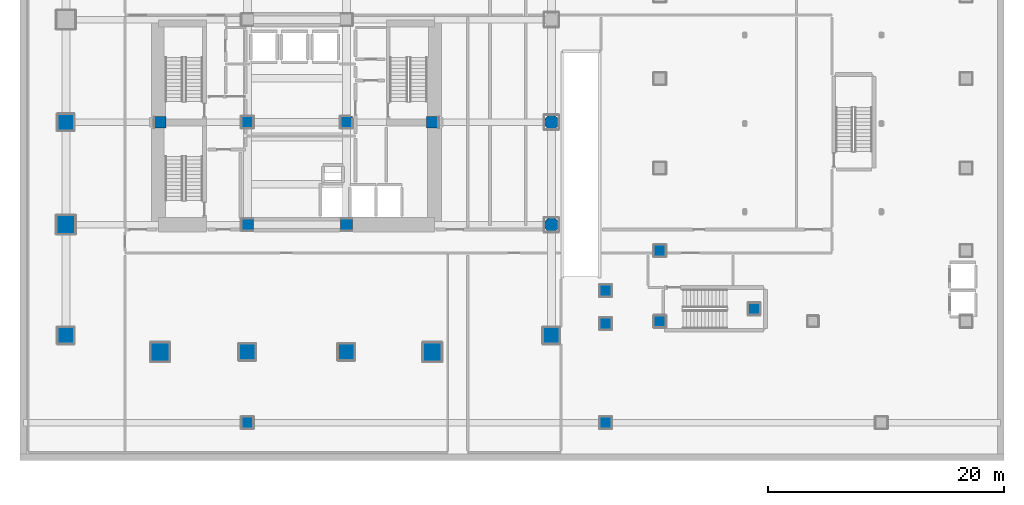
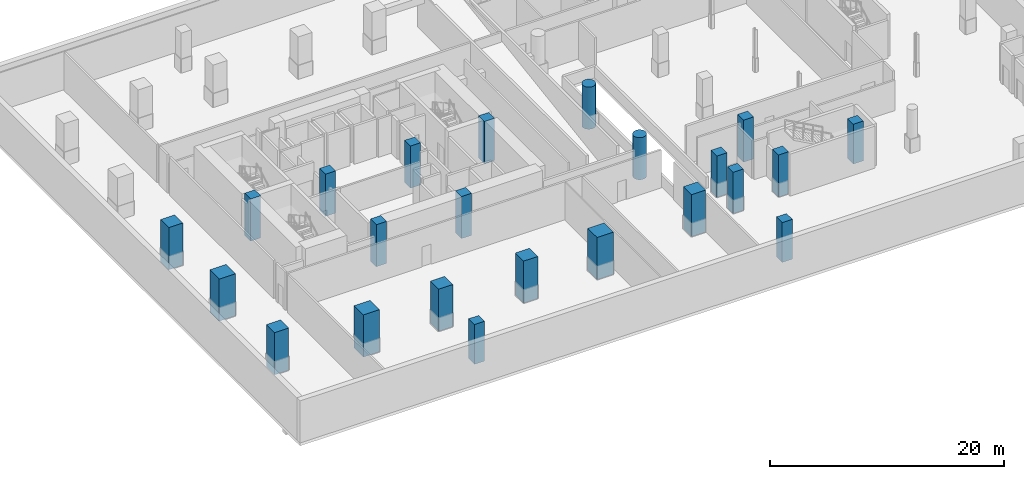
# One storey, part 1 of 22: 23 columns.
"""IFC4 building model written with IfcOpenShell, lengths in metres."""

from ifc_helpers import new_model, si_unit, direction, frame, origin, origin_2d, place, context, subcontext, project, spatial, rectangle, circle, extrude, material, material_profile, profile_set, type_object, element, save


model = new_model("IFC4")

# Units and contexts
model_context = context("Model", 3, precision=1e-05, world=origin(), true_north=direction((0.0, 1.0)))
body_context = subcontext(model_context, "Body", "Model", "MODEL_VIEW")
ifc_project = project(units=[si_unit("LENGTHUNIT", "METRE"), si_unit("AREAUNIT", "SQUARE_METRE"), si_unit("VOLUMEUNIT", "CUBIC_METRE"), si_unit("PLANEANGLEUNIT", "RADIAN"), si_unit("MASSUNIT", "GRAM", prefix="KILO")], contexts=[model_context])

# Site, building, storey
site_placement = place(None, origin())
site = spatial("IfcSite", under=ifc_project, at=site_placement, CompositionType="ELEMENT")
building_placement = place(site_placement, origin())
building = spatial("IfcBuilding", under=site, at=building_placement, Name="Solanera Arch Residences", CompositionType="ELEMENT")
storey_placement = place(building_placement, frame((0.0, 0.0, -4.39990234375)))
storey = spatial("IfcBuildingStorey", under=building, at=storey_placement, Name="B01", CompositionType="ELEMENT", Elevation=-4.39990234375)

# Columns
ifc_material_1 = material(Name="Concrete C55/67 (f'c = 60 MPa)", Category="concrete")
ifc_material_profile_1 = material_profile(ifc_material_1, rectangle(XDim=1.0, YDim=1.0, at=origin_2d()))
ifc_profile_set_1 = profile_set([ifc_material_profile_1], Name="Concrete C55/67 (f'c = 60 MPa)")
column_type_1 = type_object("IfcColumnType", Name="Structural Column RC-COL-1000X1000", PredefinedType="COLUMN", material=ifc_profile_set_1)
for number, where, z_axis, x_axis, name in (
    (1, (20.800048828125, 22.0, 0.0), (0.0, 0.0, 1.0), (1.0, 0.0, 0.0), "COL-B01-CB-SW"),
    (2, (29.199951171875, 22.0, 0.0), (0.0, 0.0, 1.0), (1.0, 0.0, 0.0), "COL-B01-CB-SE"),
    (3, (13.39990234375, 30.699951171875, 0.0), (0.0, 0.0, 1.0), (1.0, 0.0, 0.0), "COL-B01-CB-WW"),
    (4, (36.5, 30.699951171875, 0.0), (0.0, 0.0, 1.0), (1.0, 0.0, 0.0), "COL-B01-CB-EE"),
    (5, (20.800048828125, 30.699951171875, 0.0), (0.0, 0.0, 1.0), (1.0, 0.0, 0.0), "COL-B01-CORE-W"),
    (6, (29.199951171875, 30.699951171875, 0.0), (0.0, 0.0, 1.0), (1.0, 0.0, 0.0), "COL-B01-CORE-E"),
):
    element("IfcColumn", number, at=place(storey_placement, frame(where, z_axis=z_axis, x_axis=x_axis)), inside=storey, type_object=column_type_1, Name=name, PredefinedType="COLUMN", context=body_context, shape_type="SweptSolid", body=[
        extrude(rectangle(XDim=1.0, YDim=1.0, at=origin_2d()), origin(), (0.0, 0.0, 1.0), 4.39990234375),
    ])
for number, where, z_axis, x_axis, name in (
    (7, (51.199951171875, 13.60009765625, 0.0), (0.0, 0.0, 1.0), (1.0, 0.0, 0.0), "COL-B01-PAD-07"),
    (8, (51.199951171875, 16.39990234375, 0.0), (0.0, 0.0, 1.0), (1.0, 0.0, 0.0), "COL-B01-PAD-08"),
):
    element("IfcColumn", number, at=place(storey_placement, frame(where, z_axis=z_axis, x_axis=x_axis)), inside=storey, type_object=column_type_1, Name=name, PredefinedType="COLUMN", context=body_context, shape_type="SweptSolid", body=[
        extrude(rectangle(XDim=1.0, YDim=1.0, at=origin_2d()), origin(), (0.0, 0.0, 1.0), 4.31982421875),
    ])
for number, where, z_axis, x_axis, name in (
    (9, (20.800048828125, 5.199951171875, 0.0), (0.0, 0.0, 1.0), (1.0, 0.0, 0.0), "COL-B01-PAD-09"),
    (10, (51.199951171875, 5.199951171875, 0.0), (0.0, 0.0, 1.0), (1.0, 0.0, 0.0), "COL-B01-PAD-10"),
    (11, (63.800048828125, 14.860107421875, 0.0), (0.0, 0.0, 1.0), (1.0, 0.0, 0.0), "COL-B01-PAD-15"),
):
    element("IfcColumn", number, at=place(storey_placement, frame(where, z_axis=z_axis, x_axis=x_axis)), inside=storey, type_object=column_type_1, Name=name, PredefinedType="COLUMN", context=body_context, shape_type="SweptSolid", body=[
        extrude(rectangle(XDim=1.0, YDim=1.0, at=origin_2d()), origin(), (0.0, 0.0, 1.0), 4.159912109375),
    ])
for number, where, z_axis, x_axis, name in (
    (12, (55.800048828125, 13.800048828125, 0.0), (0.0, 0.0, 1.0), (1.0, 0.0, 0.0), "COL-B01-HALL-01"),
    (13, (55.800048828125, 19.800048828125, 0.0), (0.0, 0.0, 1.0), (1.0, 0.0, 0.0), "COL-B01-HALL-02"),
):
    element("IfcColumn", number, at=place(storey_placement, frame(where, z_axis=z_axis, x_axis=x_axis)), inside=storey, type_object=column_type_1, Name=name, PredefinedType="COLUMN", context=body_context, shape_type="SweptSolid", body=[
        extrude(rectangle(XDim=1.0, YDim=1.0, at=origin_2d()), origin(), (0.0, 0.0, 1.0), 4.39990234375),
    ])
ifc_material_2 = material(Name="Concrete C55/67 (f'c = 60 MPa)", Category="concrete")
ifc_material_profile_2 = material_profile(ifc_material_2, rectangle(XDim=1.39990234375, YDim=1.39990234375, at=origin_2d()))
ifc_profile_set_2 = profile_set([ifc_material_profile_2], Name="Concrete C55/67 (f'c = 60 MPa)")
column_type_2 = type_object("IfcColumnType", Name="Structural Column RC-COL-1400X1400", PredefinedType="COLUMN", material=ifc_profile_set_2)
for number, where, z_axis, x_axis, name in (
    (14, (5.39990234375, 30.699951171875, 0.0), (0.0, 0.0, 1.0), (1.0, 0.0, 0.0), "COL-B01-POD-08"),
    (15, (5.39990234375, 12.60009765625, 0.0), (0.0, 0.0, 1.0), (1.0, 0.0, 0.0), "COL-B01-POD-13"),
    (16, (46.60009765625, 12.60009765625, 0.0), (0.0, 0.0, 1.0), (1.0, 0.0, 0.0), "COL-B01-POD-14"),
    (17, (20.800048828125, 11.199951171875, 0.0), (0.0, 0.0, 1.0), (1.0, 0.0, 0.0), "COL-B01-POD-AS1"),
    (18, (29.199951171875, 11.199951171875, 0.0), (0.0, 0.0, 1.0), (1.0, 0.0, 0.0), "COL-B01-POD-AS2"),
):
    element("IfcColumn", number, at=place(storey_placement, frame(where, z_axis=z_axis, x_axis=x_axis)), inside=storey, type_object=column_type_2, Name=name, PredefinedType="COLUMN", context=body_context, shape_type="SweptSolid", body=[
        extrude(rectangle(XDim=1.39990234375, YDim=1.39990234375, at=origin_2d()), origin(), (0.0, 0.0, 1.0), 4.39990234375),
    ])
ifc_material_3 = material(Name="Concrete C55/67 (f'c = 60 MPa)", Category="concrete")
ifc_material_profile_3 = material_profile(ifc_material_3, rectangle(XDim=1.60009765625, YDim=1.60009765625, at=origin_2d()))
ifc_profile_set_3 = profile_set([ifc_material_profile_3], Name="Concrete C55/67 (f'c = 60 MPa)")
column_type_3 = type_object("IfcColumnType", Name="Structural Column RC-COL-1600X1600", PredefinedType="COLUMN", material=ifc_profile_set_3)
for number, where, z_axis, x_axis, name in (
    (19, (13.39990234375, 11.199951171875, 0.0), (0.0, 0.0, 1.0), (1.0, 0.0, 0.0), "COL-B01-POD-01"),
    (20, (36.5, 11.199951171875, 0.0), (0.0, 0.0, 1.0), (1.0, 0.0, 0.0), "COL-B01-POD-02"),
    (21, (5.39990234375, 22.0, 0.0), (0.0, 0.0, 1.0), (1.0, 0.0, 0.0), "COL-B01-POD-07"),
):
    element("IfcColumn", number, at=place(storey_placement, frame(where, z_axis=z_axis, x_axis=x_axis)), inside=storey, type_object=column_type_3, Name=name, PredefinedType="COLUMN", context=body_context, shape_type="SweptSolid", body=[
        extrude(rectangle(XDim=1.60009765625, YDim=1.60009765625, at=origin_2d()), origin(), (0.0, 0.0, 1.0), 4.39990234375),
    ])
ifc_material_4 = material(Name="Concrete C55/67 (f'c = 60 MPa)", Category="concrete")
ifc_material_profile_4 = material_profile(ifc_material_4, circle(Radius=0.60009765625, at=origin_2d()))
ifc_profile_set_4 = profile_set([ifc_material_profile_4], Name="Concrete C55/67 (f'c = 60 MPa)")
column_type_4 = type_object("IfcColumnType", Name="Structural Column RC-COL-D1200", PredefinedType="COLUMN", material=ifc_profile_set_4)
for number, where, z_axis, x_axis, name in (
    (22, (46.60009765625, 22.0, 0.0), (0.0, 0.0, 1.0), (1.0, 0.0, 0.0), "COL-B01-POD-10"),
    (23, (46.60009765625, 30.699951171875, 0.0), (0.0, 0.0, 1.0), (1.0, 0.0, 0.0), "COL-B01-POD-11"),
):
    element("IfcColumn", number, at=place(storey_placement, frame(where, z_axis=z_axis, x_axis=x_axis)), inside=storey, type_object=column_type_4, Name=name, PredefinedType="COLUMN", context=body_context, shape_type="SweptSolid", body=[
        extrude(circle(Radius=0.60009765625, at=origin_2d()), origin(), (0.0, 0.0, 1.0), 4.39990234375),
    ])

save(model, "model.ifc")
